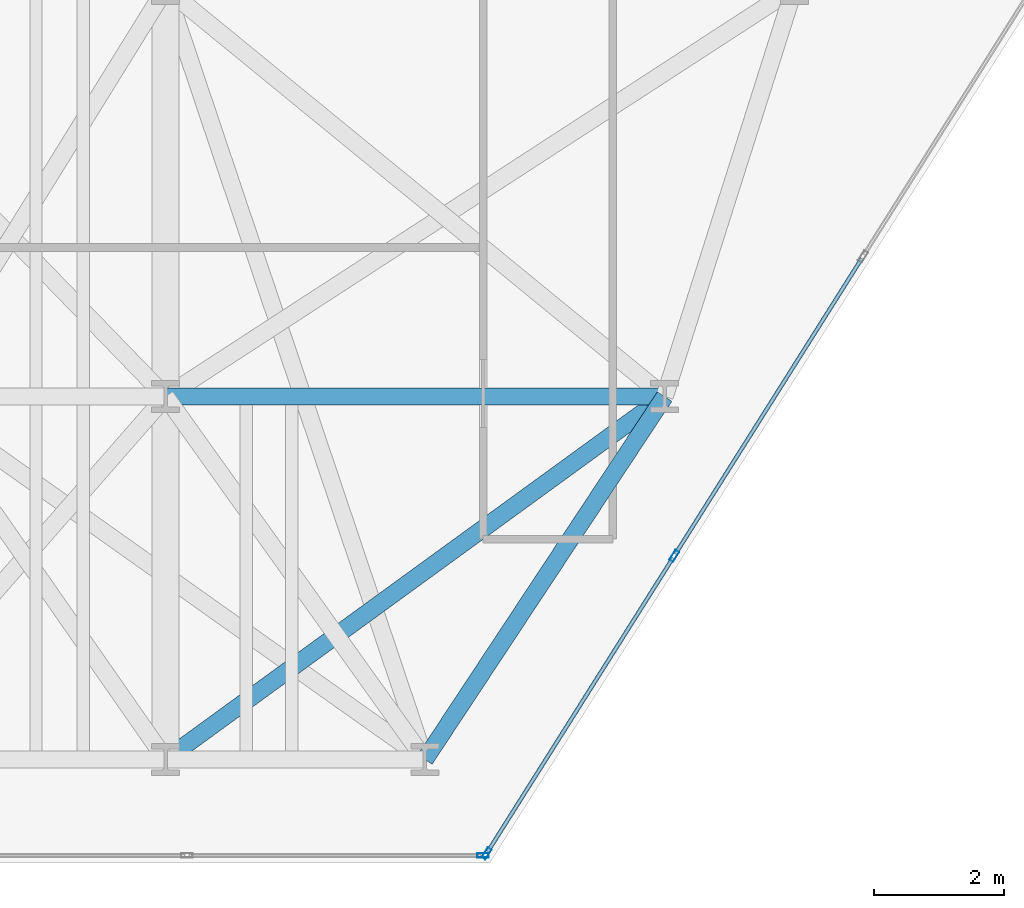
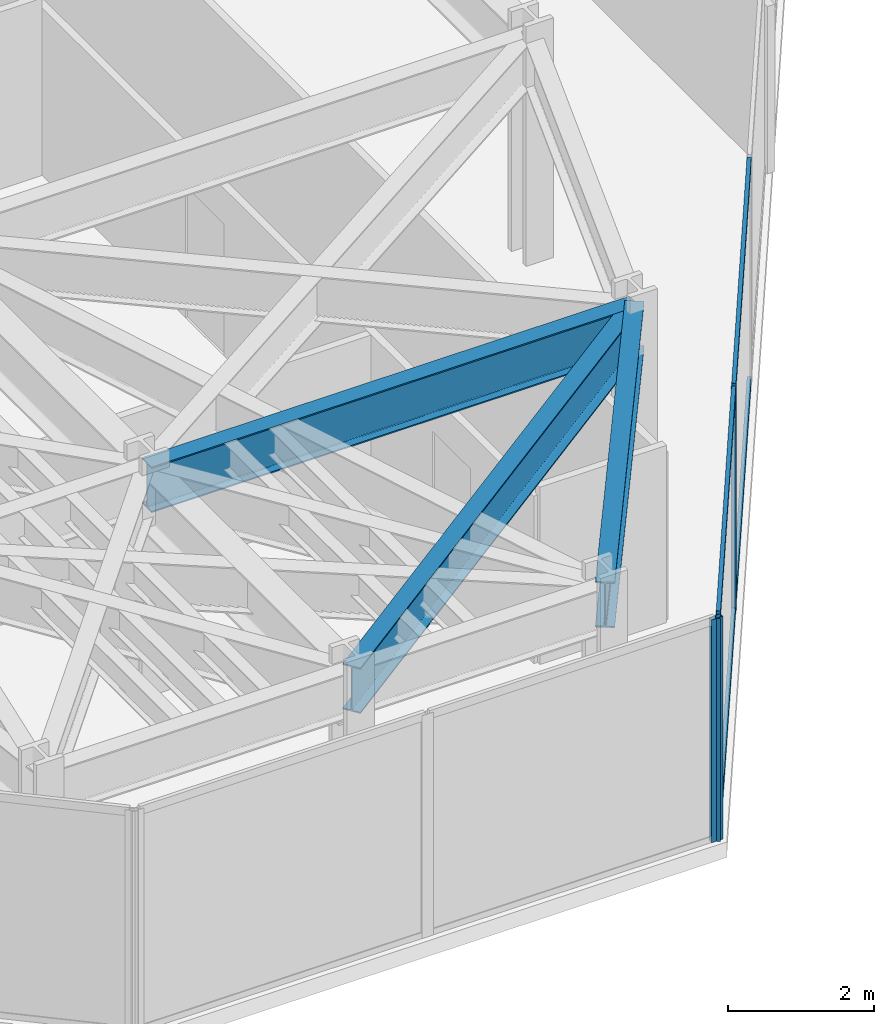
# One storey, part 5 of 25: 7 members, 3 beams, 2 elements without a shape of their own.
"""IFC4 building model written with IfcOpenShell, lengths in metres."""

from ifc_helpers import new_model, si_unit, direction, frame, origin, origin_2d, place, context, subcontext, project, spatial, hollow_rectangle, i_section, extrude, material, layer, layer_set, material_profile, profile_set, type_object, element, aggregate, save


model = new_model("IFC4")

# Units and contexts
model_context = context("Model", 3, precision=1e-05, world=origin(), true_north=direction((0.0, 1.0)))
body_context = subcontext(model_context, "Body", "Model", "MODEL_VIEW")
ifc_project = project(units=[si_unit("LENGTHUNIT", "METRE"), si_unit("AREAUNIT", "SQUARE_METRE"), si_unit("VOLUMEUNIT", "CUBIC_METRE"), si_unit("PLANEANGLEUNIT", "RADIAN"), si_unit("MASSUNIT", "GRAM", prefix="KILO")], contexts=[model_context])

# Site, building, storey
site_placement = place(None, origin())
site = spatial("IfcSite", under=ifc_project, at=site_placement, CompositionType="ELEMENT")
building_placement = place(site_placement, origin())
building = spatial("IfcBuilding", under=site, at=building_placement, Name="Kravanh Interchange Tower", CompositionType="ELEMENT")
storey_placement = place(building_placement, frame((0.0, 0.0, 81.5)))
storey = spatial("IfcBuildingStorey", under=building, at=storey_placement, Name="L19", CompositionType="ELEMENT", Elevation=81.5)

# Curtain wall, members
ifc_material_1 = material(Name="Anodised Bronze Aluminium", Category="aluminium")
ifc_layer = layer(ifc_material_1, 0.179931640625)
ifc_layer_set = layer_set([ifc_layer], Name="Unitised Curtain Wall System CW-Z1 Lower Office")
curtain_wall_type = type_object("IfcCurtainWallType", Name="Unitised Curtain Wall System CW-Z1 Lower Office", PredefinedType="NOTDEFINED", material=ifc_layer_set)
curtain_wall_1_placement = place(storey_placement, origin())
curtain_wall_1 = element("IfcCurtainWall", 1, at=curtain_wall_1_placement, inside=storey, type_object=curtain_wall_type, Name="L19 Unitised Curtain Wall CW-L19-05", PredefinedType="NOTDEFINED")
ifc_material_2 = material(Name="Anodised Bronze Aluminium", Category="aluminium")
ifc_material_profile_1 = material_profile(ifc_material_2, hollow_rectangle(XDim=0.070068359375, YDim=0.179931640625, WallThickness=0.00390625, at=origin_2d()), Name="ALU70X180X4")
ifc_profile_set_1 = profile_set([ifc_material_profile_1], Name="Anodised Bronze Aluminium")
member_type_1 = type_object("IfcMemberType", Name="Curtain Wall Mullion ALU70X180X4 Bronze", PredefinedType="MULLION", material=ifc_profile_set_1)
member_1_placement = place(storey_placement, frame((25.346923828125, 5.740966796875, 0.0), z_axis=(0.0, 0.0, 1.0), x_axis=(0.845925530786, -0.53330103728, 0.0)))
member_1 = element("IfcMember", 2, at=member_1_placement, type_object=member_type_1, Name="CW-Z1 mullion 5", PredefinedType="MULLION", context=body_context, shape_type="SweptSolid", body=[
    extrude(hollow_rectangle(XDim=0.070068359375, YDim=0.179931640625, WallThickness=0.00390625, at=origin_2d()), origin(), (0.0, 0.0, 1.0), 3.719970703125),
])
member_2_placement = place(storey_placement, frame((22.452392578125, 1.149658203125, 0.0), z_axis=(0.0, 0.0, 1.0), x_axis=(0.845925530786, -0.53330103728, 0.0)))
member_2 = element("IfcMember", 3, at=member_2_placement, type_object=member_type_1, Name="CW-Z1 mullion 6", PredefinedType="MULLION", context=body_context, shape_type="SweptSolid", body=[
    extrude(hollow_rectangle(XDim=0.070068359375, YDim=0.179931640625, WallThickness=0.00390625, at=origin_2d()), origin(), (0.0, 0.0, 1.0), 3.719970703125),
])

# Curtain wall, member
curtain_wall_2_placement = place(storey_placement, origin())
curtain_wall_2 = element("IfcCurtainWall", 4, at=curtain_wall_2_placement, inside=storey, type_object=curtain_wall_type, Name="L19 Unitised Curtain Wall CW-L19-06", PredefinedType="NOTDEFINED")
member_3_placement = place(storey_placement, frame((22.398681640625, 1.1201171875, 0.0), z_axis=(0.0, 0.0, 1.0), x_axis=(0.0, -1.0, 0.0)))
member_3 = element("IfcMember", 5, at=member_3_placement, type_object=member_type_1, Name="CW-Z1 mullion 1", PredefinedType="MULLION", context=body_context, shape_type="SweptSolid", body=[
    extrude(hollow_rectangle(XDim=0.070068359375, YDim=0.179931640625, WallThickness=0.00390625, at=origin_2d()), origin(), (0.0, 0.0, 1.0), 3.719970703125),
])
aggregate(curtain_wall_2, [member_3])

# Member
ifc_material_3 = material(Name="Anodised Bronze Aluminium", Category="aluminium")
ifc_material_profile_2 = material_profile(ifc_material_3, hollow_rectangle(XDim=0.06005859375, YDim=0.139892578125, WallThickness=0.00390625, at=origin_2d()), Name="ALU60X140X4")
ifc_profile_set_2 = profile_set([ifc_material_profile_2], Name="Anodised Bronze Aluminium")
member_type_2 = type_object("IfcMemberType", Name="Curtain Wall Transom ALU60X140X4 Bronze", PredefinedType="USERDEFINED", material=ifc_profile_set_2)
member_4_placement = place(storey_placement, frame((28.24169921875, 10.332275390625, 0.030029296875), z_axis=(-0.533311487456, -0.84591894254, 0.0), x_axis=(0.84591894254, -0.533311487456, 0.0)))
member_4 = element("IfcMember", 6, at=member_4_placement, type_object=member_type_2, Name="CW-Z1 transom 4.1", ObjectType="TRANSOM", PredefinedType="USERDEFINED", context=body_context, shape_type="SweptSolid", body=[
    extrude(hollow_rectangle(XDim=0.06005859375, YDim=0.139892578125, WallThickness=0.00390625, at=origin_2d()), origin(), (0.0, 0.0, 1.0), 5.392578125),
])

member_5_placement = place(storey_placement, frame((28.24169921875, 10.332275390625, 3.68994140625), z_axis=(-0.533311487456, -0.84591894254, 0.0), x_axis=(0.84591894254, -0.533311487456, 0.0)))
member_5 = element("IfcMember", 7, at=member_5_placement, type_object=member_type_2, Name="CW-Z1 transom 4.2", ObjectType="TRANSOM", PredefinedType="USERDEFINED", context=body_context, shape_type="SweptSolid", body=[
    extrude(hollow_rectangle(XDim=0.06005859375, YDim=0.139892578125, WallThickness=0.00390625, at=origin_2d()), origin(), (0.0, 0.0, 1.0), 5.392578125),
])

member_6_placement = place(storey_placement, frame((25.328369140625, 5.71142578125, 0.030029296875), z_axis=(-0.533288163518, -0.845933646719, 0.0), x_axis=(0.845933646719, -0.533288163518, 0.0)))
member_6 = element("IfcMember", 8, at=member_6_placement, type_object=member_type_2, Name="CW-Z1 transom 5.1", ObjectType="TRANSOM", PredefinedType="USERDEFINED", context=body_context, shape_type="SweptSolid", body=[
    extrude(hollow_rectangle(XDim=0.06005859375, YDim=0.139892578125, WallThickness=0.00390625, at=origin_2d()), origin(), (0.0, 0.0, 1.0), 5.357666015625),
])

member_7_placement = place(storey_placement, frame((25.328369140625, 5.71142578125, 3.68994140625), z_axis=(-0.533288163518, -0.845933646719, 0.0), x_axis=(0.845933646719, -0.533288163518, 0.0)))
member_7 = element("IfcMember", 9, at=member_7_placement, type_object=member_type_2, Name="CW-Z1 transom 5.2", ObjectType="TRANSOM", PredefinedType="USERDEFINED", context=body_context, shape_type="SweptSolid", body=[
    extrude(hollow_rectangle(XDim=0.06005859375, YDim=0.139892578125, WallThickness=0.00390625, at=origin_2d()), origin(), (0.0, 0.0, 1.0), 5.357666015625),
])

aggregate(curtain_wall_1, [member_1, member_2, member_4, member_5, member_6, member_7])

# Beams
ifc_material_4 = material(Name="Structural Steel S355", Category="steel")
ifc_material_profile_3 = material_profile(ifc_material_4, i_section(OverallWidth=0.26708984375, OverallDepth=0.761962890625, WebThickness=0.014404296875, FlangeThickness=0.021484375, FilletRadius=0.02490234375, at=origin_2d()), Name="W30X116")
ifc_profile_set_3 = profile_set([ifc_material_profile_3], Name="Structural Steel S355")
beam_type = type_object("IfcBeamType", Name="Floor Spandrel W30X116 Structural Steel S355", PredefinedType="SPANDREL", material=ifc_profile_set_3)
beam_1_placement = place(storey_placement, frame((17.5, 2.60009765625, 3.339111328125), z_axis=(0.808741628611, 0.588164074176, 0.0), x_axis=(-0.588164074176, 0.808741628611, 0.0)))
element("IfcBeam", 10, at=beam_1_placement, inside=storey, type_object=beam_type, Name="L19 Perimeter Spandrel 105", PredefinedType="SPANDREL", context=body_context, shape_type="SweptSolid", body=[
    extrude(i_section(OverallWidth=0.26708984375, OverallDepth=0.761962890625, WebThickness=0.014404296875, FlangeThickness=0.021484375, FilletRadius=0.02490234375, at=origin_2d()), origin(), (0.0, 0.0, 1.0), 9.52099609375),
])
beam_2_placement = place(storey_placement, frame((21.5, 2.60009765625, 3.339111328125), z_axis=(0.551262239226, 0.834332034386, 0.0), x_axis=(-0.834332034386, 0.551262239226, 0.0)))
element("IfcBeam", 11, at=beam_2_placement, inside=storey, type_object=beam_type, Name="L19 Perimeter Spandrel 121", PredefinedType="SPANDREL", context=body_context, shape_type="SweptSolid", body=[
    extrude(i_section(OverallWidth=0.26708984375, OverallDepth=0.761962890625, WebThickness=0.014404296875, FlangeThickness=0.021484375, FilletRadius=0.02490234375, at=origin_2d()), origin(), (0.0, 0.0, 1.0), 6.711669921875),
])
beam_3_placement = place(storey_placement, frame((17.5, 8.199951171875, 3.339111328125), z_axis=(1.0, 0.0, 0.0), x_axis=(0.0, 1.0, 0.0)))
element("IfcBeam", 12, at=beam_3_placement, inside=storey, type_object=beam_type, Name="L19 Perimeter Spandrel 137", PredefinedType="SPANDREL", context=body_context, shape_type="SweptSolid", body=[
    extrude(i_section(OverallWidth=0.26708984375, OverallDepth=0.761962890625, WebThickness=0.014404296875, FlangeThickness=0.021484375, FilletRadius=0.02490234375, at=origin_2d()), origin(), (0.0, 0.0, 1.0), 7.699951171875),
])

save(model, "model.ifc")
